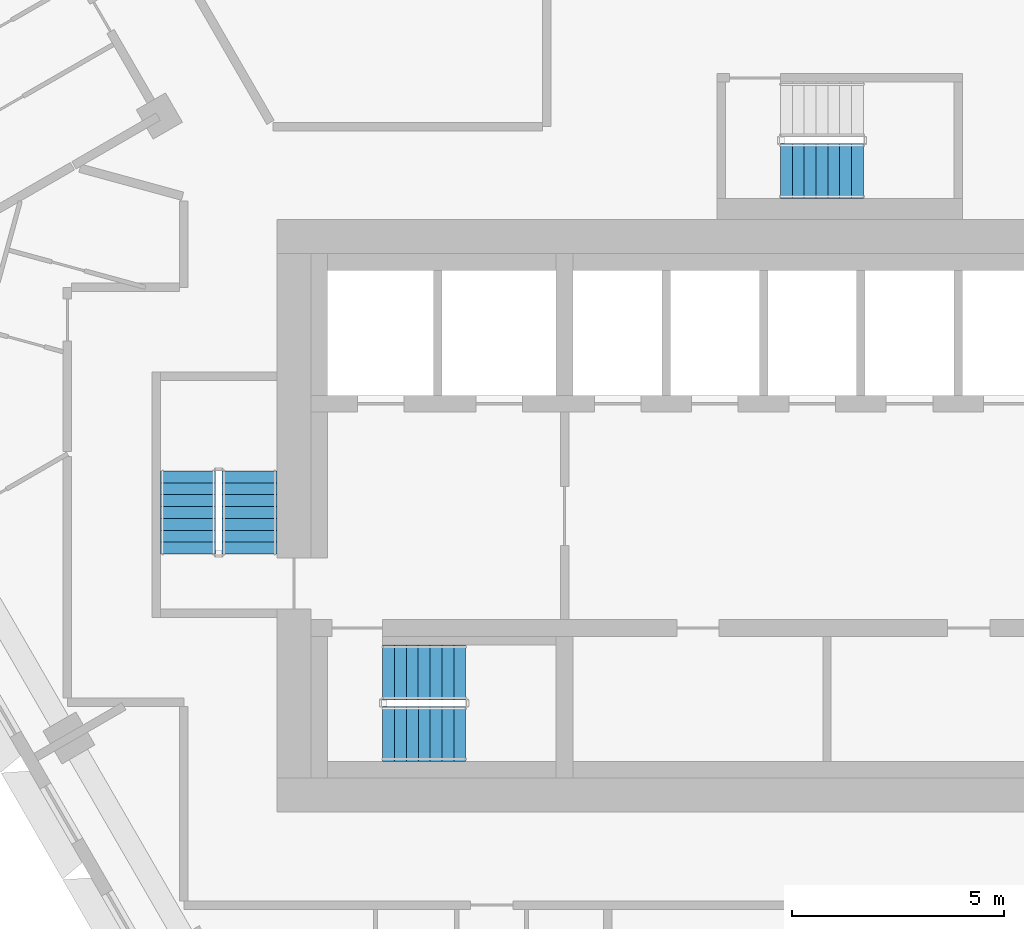
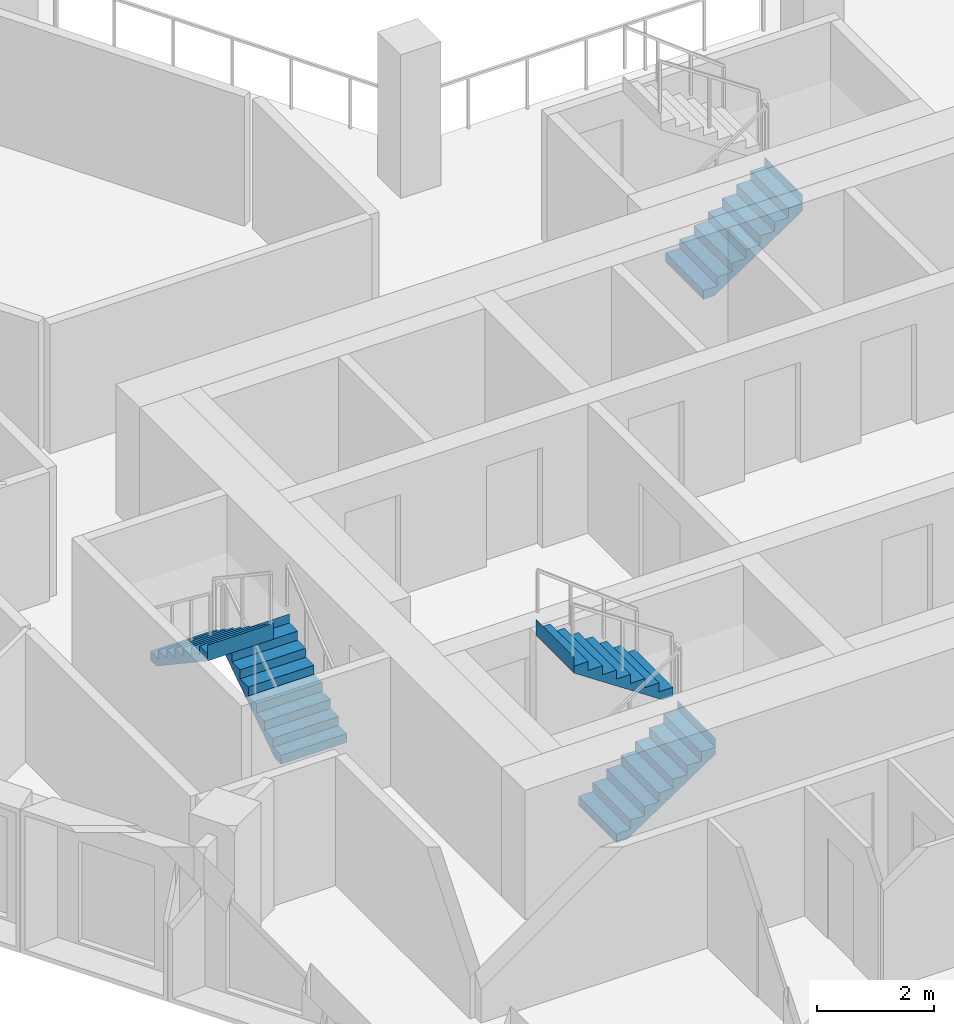
# One storey, part 12 of 17: 5 stair flights, 3 elements without a shape of their own.
"""IFC4 building model written with IfcOpenShell, lengths in metres."""

from ifc_helpers import new_model, si_unit, direction, frame, origin, place, context, subcontext, project, spatial, triangles, material, type_object, element, aggregate, save


model = new_model("IFC4")

# Units and contexts
model_context = context("Model", 3, precision=1e-05, world=origin(), true_north=direction((0.0, 1.0)))
body_context = subcontext(model_context, "Body", "Model", "MODEL_VIEW")
ifc_project = project(units=[si_unit("LENGTHUNIT", "METRE"), si_unit("AREAUNIT", "SQUARE_METRE"), si_unit("VOLUMEUNIT", "CUBIC_METRE"), si_unit("PLANEANGLEUNIT", "RADIAN"), si_unit("MASSUNIT", "GRAM", prefix="KILO")], contexts=[model_context])

# Site, building, storey
site_placement = place(None, origin())
site = spatial("IfcSite", under=ifc_project, at=site_placement, CompositionType="ELEMENT")
building_placement = place(site_placement, origin())
building = spatial("IfcBuilding", under=site, at=building_placement, Name="Beryl Residences", CompositionType="ELEMENT")
storey_placement = place(building_placement, frame((0.0, 0.0, 144.60009765625)))
storey = spatial("IfcBuildingStorey", under=building, at=storey_placement, Name="L44", CompositionType="ELEMENT", Elevation=144.60009765625)

# Stair, stair flights
ifc_material_1 = material(Name="Concrete C40/50", Category="concrete")
stair_type = type_object("IfcStairType", Name="ST1 protected exit stair, half-turn, 1300 mm flights", PredefinedType="HALF_TURN_STAIR", material=ifc_material_1)
stair_1_placement = place(storey_placement, origin())
stair_1 = element("IfcStair", 1, at=stair_1_placement, inside=storey, type_object=stair_type, Name="L44 PROTECTED EXIT STAIR ST-1", PredefinedType="HALF_TURN_STAIR")
ifc_material_2 = material(Name="Concrete C40/50", Category="concrete")
stair_flight_type = type_object("IfcStairFlightType", Name="SF1 stair flight 1300 mm", PredefinedType="STRAIGHT", material=ifc_material_2)
stair_flight_1_placement = place(storey_placement, frame((-10.800048828125, -17.14990234375, 0.0), z_axis=(0.0, 0.0, 1.0), x_axis=(1.0, 0.0, 0.0)))
stair_flight_1 = element("IfcStairFlight", 2, at=stair_flight_1_placement, type_object=stair_flight_type, Name="ST-1 flight 1", NumberOfRisers=8, NumberOfTreads=7, PredefinedType="STRAIGHT", RiserHeight=0.1875, TreadLength=0.28, context=body_context, shape_type="Tessellation", body=[
    triangles([(0.0, -0.64990234375, 0.0), (0.0, -0.324951171875, 0.0), (0.0, 0.0, 0.0), (0.0, 0.324951171875, 0.0), (0.0, 0.64990234375, 0.0), (0.0, -0.64990234375, 0.1875), (0.0, -0.324951171875, 0.1875), (0.0, 0.0, 0.1875), (0.0, 0.324951171875, 0.1875), (0.0, 0.64990234375, 0.1875), (0.280029296875, -0.64990234375, 0.1875), (0.280029296875, -0.324951171875, 0.1875), (0.280029296875, 0.0, 0.1875), (0.280029296875, 0.324951171875, 0.1875), (0.280029296875, 0.64990234375, 0.1875), (0.280029296875, -0.64990234375, 0.375), (0.280029296875, -0.324951171875, 0.375), (0.280029296875, 0.0, 0.375), (0.280029296875, 0.324951171875, 0.375), (0.280029296875, 0.64990234375, 0.375), (0.56005859375, -0.64990234375, 0.375), (0.56005859375, -0.324951171875, 0.375), (0.56005859375, 0.0, 0.375), (0.56005859375, 0.324951171875, 0.375), (0.56005859375, 0.64990234375, 0.375), (0.56005859375, -0.64990234375, 0.5625), (0.56005859375, -0.324951171875, 0.5625), (0.56005859375, 0.0, 0.5625), (0.56005859375, 0.324951171875, 0.5625), (0.56005859375, 0.64990234375, 0.5625), (0.840087890625, -0.64990234375, 0.5625), (0.840087890625, -0.324951171875, 0.5625), (0.840087890625, 0.0, 0.5625), (0.840087890625, 0.324951171875, 0.5625), (0.840087890625, 0.64990234375, 0.5625), (0.840087890625, -0.64990234375, 0.75), (0.840087890625, -0.324951171875, 0.75), (0.840087890625, 0.0, 0.75), (0.840087890625, 0.324951171875, 0.75), (0.840087890625, 0.64990234375, 0.75), (1.1201171875, -0.64990234375, 0.75), (1.1201171875, -0.324951171875, 0.75), (1.1201171875, 0.0, 0.75), (1.1201171875, 0.324951171875, 0.75), (1.1201171875, 0.64990234375, 0.75), (1.1201171875, -0.64990234375, 0.9375), (1.1201171875, -0.324951171875, 0.9375), (1.1201171875, 0.0, 0.9375), (1.1201171875, 0.324951171875, 0.9375), (1.1201171875, 0.64990234375, 0.9375), (1.39990234375, -0.64990234375, 0.9375), (1.39990234375, -0.324951171875, 0.9375), (1.39990234375, 0.0, 0.9375), (1.39990234375, 0.324951171875, 0.9375), (1.39990234375, 0.64990234375, 0.9375), (1.39990234375, -0.64990234375, 1.125), (1.39990234375, -0.324951171875, 1.125), (1.39990234375, 0.0, 1.125), (1.39990234375, 0.324951171875, 1.125), (1.39990234375, 0.64990234375, 1.125), (1.679931640625, -0.64990234375, 1.125), (1.679931640625, -0.324951171875, 1.125), (1.679931640625, 0.0, 1.125), (1.679931640625, 0.324951171875, 1.125), (1.679931640625, 0.64990234375, 1.125), (1.679931640625, -0.64990234375, 1.3125), (1.679931640625, -0.324951171875, 1.3125), (1.679931640625, 0.0, 1.3125), (1.679931640625, 0.324951171875, 1.3125), (1.679931640625, 0.64990234375, 1.3125), (1.9599609375, -0.64990234375, 1.3125), (1.9599609375, -0.324951171875, 1.3125), (1.9599609375, 0.0, 1.3125), (1.9599609375, 0.324951171875, 1.3125), (1.9599609375, 0.64990234375, 1.3125), (1.9599609375, -0.64990234375, 1.5), (1.9599609375, -0.324951171875, 1.5), (1.9599609375, 0.0, 1.5), (1.9599609375, 0.324951171875, 1.5), (1.9599609375, 0.64990234375, 1.5), (1.9609375, -0.64990234375, 1.5), (1.9609375, -0.324951171875, 1.5), (1.9609375, 0.0, 1.5), (1.9609375, 0.324951171875, 1.5), (1.9609375, 0.64990234375, 1.5), (1.9609375, -0.64990234375, 1.16796875), (1.9609375, -0.324951171875, 1.16796875), (1.9609375, 0.0, 1.16796875), (1.9609375, 0.324951171875, 1.16796875), (1.9609375, 0.64990234375, 1.16796875), (0.216796875, -0.64990234375, 0.0), (0.216796875, -0.324951171875, 0.0), (0.216796875, 0.0, 0.0), (0.216796875, 0.324951171875, 0.0), (0.216796875, 0.64990234375, 0.0)], [[1, 6, 7], [1, 7, 2], [2, 7, 8], [2, 8, 3], [3, 8, 9], [3, 9, 4], [4, 9, 10], [4, 10, 5], [6, 11, 12], [6, 12, 7], [7, 12, 13], [7, 13, 8], [8, 13, 14], [8, 14, 9], [9, 14, 15], [9, 15, 10], [11, 16, 17], [11, 17, 12], [12, 17, 18], [12, 18, 13], [13, 18, 19], [13, 19, 14], [14, 19, 20], [14, 20, 15], [16, 21, 22], [16, 22, 17], [17, 22, 23], [17, 23, 18], [18, 23, 24], [18, 24, 19], [19, 24, 25], [19, 25, 20], [21, 26, 27], [21, 27, 22], [22, 27, 28], [22, 28, 23], [23, 28, 29], [23, 29, 24], [24, 29, 30], [24, 30, 25], [26, 31, 32], [26, 32, 27], [27, 32, 33], [27, 33, 28], [28, 33, 34], [28, 34, 29], [29, 34, 35], [29, 35, 30], [31, 36, 37], [31, 37, 32], [32, 37, 38], [32, 38, 33], [33, 38, 39], [33, 39, 34], [34, 39, 40], [34, 40, 35], [36, 41, 42], [36, 42, 37], [37, 42, 43], [37, 43, 38], [38, 43, 44], [38, 44, 39], [39, 44, 45], [39, 45, 40], [41, 46, 47], [41, 47, 42], [42, 47, 48], [42, 48, 43], [43, 48, 49], [43, 49, 44], [44, 49, 50], [44, 50, 45], [46, 51, 52], [46, 52, 47], [47, 52, 53], [47, 53, 48], [48, 53, 54], [48, 54, 49], [49, 54, 55], [49, 55, 50], [51, 56, 57], [51, 57, 52], [52, 57, 58], [52, 58, 53], [53, 58, 59], [53, 59, 54], [54, 59, 60], [54, 60, 55], [56, 61, 62], [56, 62, 57], [57, 62, 63], [57, 63, 58], [58, 63, 64], [58, 64, 59], [59, 64, 65], [59, 65, 60], [61, 66, 67], [61, 67, 62], [62, 67, 68], [62, 68, 63], [63, 68, 69], [63, 69, 64], [64, 69, 70], [64, 70, 65], [66, 71, 72], [66, 72, 67], [67, 72, 73], [67, 73, 68], [68, 73, 74], [68, 74, 69], [69, 74, 75], [69, 75, 70], [71, 76, 77], [71, 77, 72], [72, 77, 78], [72, 78, 73], [73, 78, 79], [73, 79, 74], [74, 79, 80], [74, 80, 75], [76, 81, 82], [76, 82, 77], [77, 82, 83], [77, 83, 78], [78, 83, 84], [78, 84, 79], [79, 84, 85], [79, 85, 80], [81, 86, 87], [81, 87, 82], [82, 87, 88], [82, 88, 83], [83, 88, 89], [83, 89, 84], [84, 89, 90], [84, 90, 85], [86, 91, 92], [86, 92, 87], [87, 92, 93], [87, 93, 88], [88, 93, 94], [88, 94, 89], [89, 94, 95], [89, 95, 90], [91, 1, 2], [91, 2, 92], [92, 2, 3], [92, 3, 93], [93, 3, 4], [93, 4, 94], [94, 4, 5], [94, 5, 95], [1, 91, 86], [5, 90, 95], [86, 81, 76], [90, 80, 85], [86, 76, 71], [90, 75, 80], [86, 71, 66], [90, 70, 75], [86, 66, 61], [90, 65, 70], [61, 56, 51], [65, 55, 60], [86, 61, 51], [90, 55, 65], [51, 46, 41], [55, 45, 50], [86, 51, 41], [90, 45, 55], [41, 36, 31], [45, 35, 40], [86, 41, 31], [90, 35, 45], [31, 26, 21], [35, 25, 30], [86, 31, 21], [90, 25, 35], [21, 16, 11], [25, 15, 20], [86, 21, 11], [90, 15, 25], [1, 86, 11], [5, 15, 90], [11, 6, 1], [15, 5, 10]], closed=True),
])
stair_flight_2_placement = place(storey_placement, frame((-8.840087890625, -15.699951171875, 1.5), z_axis=(0.0, 0.0, 1.0), x_axis=(-1.0, 0.0, 0.0)))
stair_flight_2 = element("IfcStairFlight", 3, at=stair_flight_2_placement, type_object=stair_flight_type, Name="ST-1 flight 2", NumberOfRisers=8, NumberOfTreads=7, PredefinedType="STRAIGHT", RiserHeight=0.1875, TreadLength=0.28, context=body_context, shape_type="Tessellation", body=[
    triangles([(0.0, -0.64990234375, 0.0), (0.0, -0.324951171875, 0.0), (0.0, 0.0, 0.0), (0.0, 0.324951171875, 0.0), (0.0, 0.64990234375, 0.0), (0.0, -0.64990234375, 0.1875), (0.0, -0.324951171875, 0.1875), (0.0, 0.0, 0.1875), (0.0, 0.324951171875, 0.1875), (0.0, 0.64990234375, 0.1875), (0.280029296875, -0.64990234375, 0.1875), (0.280029296875, -0.324951171875, 0.1875), (0.280029296875, 0.0, 0.1875), (0.280029296875, 0.324951171875, 0.1875), (0.280029296875, 0.64990234375, 0.1875), (0.280029296875, -0.64990234375, 0.375), (0.280029296875, -0.324951171875, 0.375), (0.280029296875, 0.0, 0.375), (0.280029296875, 0.324951171875, 0.375), (0.280029296875, 0.64990234375, 0.375), (0.56005859375, -0.64990234375, 0.375), (0.56005859375, -0.324951171875, 0.375), (0.56005859375, 0.0, 0.375), (0.56005859375, 0.324951171875, 0.375), (0.56005859375, 0.64990234375, 0.375), (0.56005859375, -0.64990234375, 0.5625), (0.56005859375, -0.324951171875, 0.5625), (0.56005859375, 0.0, 0.5625), (0.56005859375, 0.324951171875, 0.5625), (0.56005859375, 0.64990234375, 0.5625), (0.840087890625, -0.64990234375, 0.5625), (0.840087890625, -0.324951171875, 0.5625), (0.840087890625, 0.0, 0.5625), (0.840087890625, 0.324951171875, 0.5625), (0.840087890625, 0.64990234375, 0.5625), (0.840087890625, -0.64990234375, 0.75), (0.840087890625, -0.324951171875, 0.75), (0.840087890625, 0.0, 0.75), (0.840087890625, 0.324951171875, 0.75), (0.840087890625, 0.64990234375, 0.75), (1.1201171875, -0.64990234375, 0.75), (1.1201171875, -0.324951171875, 0.75), (1.1201171875, 0.0, 0.75), (1.1201171875, 0.324951171875, 0.75), (1.1201171875, 0.64990234375, 0.75), (1.1201171875, -0.64990234375, 0.9375), (1.1201171875, -0.324951171875, 0.9375), (1.1201171875, 0.0, 0.9375), (1.1201171875, 0.324951171875, 0.9375), (1.1201171875, 0.64990234375, 0.9375), (1.39990234375, -0.64990234375, 0.9375), (1.39990234375, -0.324951171875, 0.9375), (1.39990234375, 0.0, 0.9375), (1.39990234375, 0.324951171875, 0.9375), (1.39990234375, 0.64990234375, 0.9375), (1.39990234375, -0.64990234375, 1.125), (1.39990234375, -0.324951171875, 1.125), (1.39990234375, 0.0, 1.125), (1.39990234375, 0.324951171875, 1.125), (1.39990234375, 0.64990234375, 1.125), (1.679931640625, -0.64990234375, 1.125), (1.679931640625, -0.324951171875, 1.125), (1.679931640625, 0.0, 1.125), (1.679931640625, 0.324951171875, 1.125), (1.679931640625, 0.64990234375, 1.125), (1.679931640625, -0.64990234375, 1.3125), (1.679931640625, -0.324951171875, 1.3125), (1.679931640625, 0.0, 1.3125), (1.679931640625, 0.324951171875, 1.3125), (1.679931640625, 0.64990234375, 1.3125), (1.9599609375, -0.64990234375, 1.3125), (1.9599609375, -0.324951171875, 1.3125), (1.9599609375, 0.0, 1.3125), (1.9599609375, 0.324951171875, 1.3125), (1.9599609375, 0.64990234375, 1.3125), (1.9599609375, -0.64990234375, 1.5), (1.9599609375, -0.324951171875, 1.5), (1.9599609375, 0.0, 1.5), (1.9599609375, 0.324951171875, 1.5), (1.9599609375, 0.64990234375, 1.5), (1.9609375, -0.64990234375, 1.5), (1.9609375, -0.324951171875, 1.5), (1.9609375, 0.0, 1.5), (1.9609375, 0.324951171875, 1.5), (1.9609375, 0.64990234375, 1.5), (1.9609375, -0.64990234375, 1.16796875), (1.9609375, -0.324951171875, 1.16796875), (1.9609375, 0.0, 1.16796875), (1.9609375, 0.324951171875, 1.16796875), (1.9609375, 0.64990234375, 1.16796875), (0.216796875, -0.64990234375, 0.0), (0.216796875, -0.324951171875, 0.0), (0.216796875, 0.0, 0.0), (0.216796875, 0.324951171875, 0.0), (0.216796875, 0.64990234375, 0.0)], [[1, 6, 7], [1, 7, 2], [2, 7, 8], [2, 8, 3], [3, 8, 9], [3, 9, 4], [4, 9, 10], [4, 10, 5], [6, 11, 12], [6, 12, 7], [7, 12, 13], [7, 13, 8], [8, 13, 14], [8, 14, 9], [9, 14, 15], [9, 15, 10], [11, 16, 17], [11, 17, 12], [12, 17, 18], [12, 18, 13], [13, 18, 19], [13, 19, 14], [14, 19, 20], [14, 20, 15], [16, 21, 22], [16, 22, 17], [17, 22, 23], [17, 23, 18], [18, 23, 24], [18, 24, 19], [19, 24, 25], [19, 25, 20], [21, 26, 27], [21, 27, 22], [22, 27, 28], [22, 28, 23], [23, 28, 29], [23, 29, 24], [24, 29, 30], [24, 30, 25], [26, 31, 32], [26, 32, 27], [27, 32, 33], [27, 33, 28], [28, 33, 34], [28, 34, 29], [29, 34, 35], [29, 35, 30], [31, 36, 37], [31, 37, 32], [32, 37, 38], [32, 38, 33], [33, 38, 39], [33, 39, 34], [34, 39, 40], [34, 40, 35], [36, 41, 42], [36, 42, 37], [37, 42, 43], [37, 43, 38], [38, 43, 44], [38, 44, 39], [39, 44, 45], [39, 45, 40], [41, 46, 47], [41, 47, 42], [42, 47, 48], [42, 48, 43], [43, 48, 49], [43, 49, 44], [44, 49, 50], [44, 50, 45], [46, 51, 52], [46, 52, 47], [47, 52, 53], [47, 53, 48], [48, 53, 54], [48, 54, 49], [49, 54, 55], [49, 55, 50], [51, 56, 57], [51, 57, 52], [52, 57, 58], [52, 58, 53], [53, 58, 59], [53, 59, 54], [54, 59, 60], [54, 60, 55], [56, 61, 62], [56, 62, 57], [57, 62, 63], [57, 63, 58], [58, 63, 64], [58, 64, 59], [59, 64, 65], [59, 65, 60], [61, 66, 67], [61, 67, 62], [62, 67, 68], [62, 68, 63], [63, 68, 69], [63, 69, 64], [64, 69, 70], [64, 70, 65], [66, 71, 72], [66, 72, 67], [67, 72, 73], [67, 73, 68], [68, 73, 74], [68, 74, 69], [69, 74, 75], [69, 75, 70], [71, 76, 77], [71, 77, 72], [72, 77, 78], [72, 78, 73], [73, 78, 79], [73, 79, 74], [74, 79, 80], [74, 80, 75], [76, 81, 82], [76, 82, 77], [77, 82, 83], [77, 83, 78], [78, 83, 84], [78, 84, 79], [79, 84, 85], [79, 85, 80], [81, 86, 87], [81, 87, 82], [82, 87, 88], [82, 88, 83], [83, 88, 89], [83, 89, 84], [84, 89, 90], [84, 90, 85], [86, 91, 92], [86, 92, 87], [87, 92, 93], [87, 93, 88], [88, 93, 94], [88, 94, 89], [89, 94, 95], [89, 95, 90], [91, 1, 2], [91, 2, 92], [92, 2, 3], [92, 3, 93], [93, 3, 4], [93, 4, 94], [94, 4, 5], [94, 5, 95], [1, 91, 86], [5, 90, 95], [86, 81, 76], [90, 80, 85], [86, 76, 71], [90, 75, 80], [86, 71, 66], [90, 70, 75], [86, 66, 61], [90, 65, 70], [61, 56, 51], [65, 55, 60], [86, 61, 51], [90, 55, 65], [51, 46, 41], [55, 45, 50], [86, 51, 41], [90, 45, 55], [41, 36, 31], [45, 35, 40], [86, 41, 31], [90, 35, 45], [31, 26, 21], [35, 25, 30], [86, 31, 21], [90, 25, 35], [21, 16, 11], [25, 15, 20], [86, 21, 11], [90, 15, 25], [1, 86, 11], [5, 15, 90], [11, 6, 1], [15, 5, 10]], closed=True),
])
aggregate(stair_1, [stair_flight_1, stair_flight_2])

stair_2_placement = place(storey_placement, origin())
stair_2 = element("IfcStair", 4, at=stair_2_placement, inside=storey, type_object=stair_type, Name="L44 PROTECTED EXIT STAIR ST-2", PredefinedType="HALF_TURN_STAIR")
stair_flight_3_placement = place(storey_placement, frame((-13.949951171875, -12.89990234375, 0.0), z_axis=(0.0, 0.0, 1.0), x_axis=(0.0, 1.0, 0.0)))
stair_flight_3 = element("IfcStairFlight", 5, at=stair_flight_3_placement, type_object=stair_flight_type, Name="ST-2 flight 1", NumberOfRisers=8, NumberOfTreads=7, PredefinedType="STRAIGHT", RiserHeight=0.1875, TreadLength=0.28, context=body_context, shape_type="Tessellation", body=[
    triangles([(0.0, -0.64990234375, 0.0), (0.0, -0.324951171875, 0.0), (0.0, 0.0, 0.0), (0.0, 0.324951171875, 0.0), (0.0, 0.64990234375, 0.0), (0.0, -0.64990234375, 0.1875), (0.0, -0.324951171875, 0.1875), (0.0, 0.0, 0.1875), (0.0, 0.324951171875, 0.1875), (0.0, 0.64990234375, 0.1875), (0.280029296875, -0.64990234375, 0.1875), (0.280029296875, -0.324951171875, 0.1875), (0.280029296875, 0.0, 0.1875), (0.280029296875, 0.324951171875, 0.1875), (0.280029296875, 0.64990234375, 0.1875), (0.280029296875, -0.64990234375, 0.375), (0.280029296875, -0.324951171875, 0.375), (0.280029296875, 0.0, 0.375), (0.280029296875, 0.324951171875, 0.375), (0.280029296875, 0.64990234375, 0.375), (0.56005859375, -0.64990234375, 0.375), (0.56005859375, -0.324951171875, 0.375), (0.56005859375, 0.0, 0.375), (0.56005859375, 0.324951171875, 0.375), (0.56005859375, 0.64990234375, 0.375), (0.56005859375, -0.64990234375, 0.5625), (0.56005859375, -0.324951171875, 0.5625), (0.56005859375, 0.0, 0.5625), (0.56005859375, 0.324951171875, 0.5625), (0.56005859375, 0.64990234375, 0.5625), (0.840087890625, -0.64990234375, 0.5625), (0.840087890625, -0.324951171875, 0.5625), (0.840087890625, 0.0, 0.5625), (0.840087890625, 0.324951171875, 0.5625), (0.840087890625, 0.64990234375, 0.5625), (0.840087890625, -0.64990234375, 0.75), (0.840087890625, -0.324951171875, 0.75), (0.840087890625, 0.0, 0.75), (0.840087890625, 0.324951171875, 0.75), (0.840087890625, 0.64990234375, 0.75), (1.1201171875, -0.64990234375, 0.75), (1.1201171875, -0.324951171875, 0.75), (1.1201171875, 0.0, 0.75), (1.1201171875, 0.324951171875, 0.75), (1.1201171875, 0.64990234375, 0.75), (1.1201171875, -0.64990234375, 0.9375), (1.1201171875, -0.324951171875, 0.9375), (1.1201171875, 0.0, 0.9375), (1.1201171875, 0.324951171875, 0.9375), (1.1201171875, 0.64990234375, 0.9375), (1.39990234375, -0.64990234375, 0.9375), (1.39990234375, -0.324951171875, 0.9375), (1.39990234375, 0.0, 0.9375), (1.39990234375, 0.324951171875, 0.9375), (1.39990234375, 0.64990234375, 0.9375), (1.39990234375, -0.64990234375, 1.125), (1.39990234375, -0.324951171875, 1.125), (1.39990234375, 0.0, 1.125), (1.39990234375, 0.324951171875, 1.125), (1.39990234375, 0.64990234375, 1.125), (1.679931640625, -0.64990234375, 1.125), (1.679931640625, -0.324951171875, 1.125), (1.679931640625, 0.0, 1.125), (1.679931640625, 0.324951171875, 1.125), (1.679931640625, 0.64990234375, 1.125), (1.679931640625, -0.64990234375, 1.3125), (1.679931640625, -0.324951171875, 1.3125), (1.679931640625, 0.0, 1.3125), (1.679931640625, 0.324951171875, 1.3125), (1.679931640625, 0.64990234375, 1.3125), (1.9599609375, -0.64990234375, 1.3125), (1.9599609375, -0.324951171875, 1.3125), (1.9599609375, 0.0, 1.3125), (1.9599609375, 0.324951171875, 1.3125), (1.9599609375, 0.64990234375, 1.3125), (1.9599609375, -0.64990234375, 1.5), (1.9599609375, -0.324951171875, 1.5), (1.9599609375, 0.0, 1.5), (1.9599609375, 0.324951171875, 1.5), (1.9599609375, 0.64990234375, 1.5), (1.9609375, -0.64990234375, 1.5), (1.9609375, -0.324951171875, 1.5), (1.9609375, 0.0, 1.5), (1.9609375, 0.324951171875, 1.5), (1.9609375, 0.64990234375, 1.5), (1.9609375, -0.64990234375, 1.16796875), (1.9609375, -0.324951171875, 1.16796875), (1.9609375, 0.0, 1.16796875), (1.9609375, 0.324951171875, 1.16796875), (1.9609375, 0.64990234375, 1.16796875), (0.216796875, -0.64990234375, 0.0), (0.216796875, -0.324951171875, 0.0), (0.216796875, 0.0, 0.0), (0.216796875, 0.324951171875, 0.0), (0.216796875, 0.64990234375, 0.0)], [[1, 6, 7], [1, 7, 2], [2, 7, 8], [2, 8, 3], [3, 8, 9], [3, 9, 4], [4, 9, 10], [4, 10, 5], [6, 11, 12], [6, 12, 7], [7, 12, 13], [7, 13, 8], [8, 13, 14], [8, 14, 9], [9, 14, 15], [9, 15, 10], [11, 16, 17], [11, 17, 12], [12, 17, 18], [12, 18, 13], [13, 18, 19], [13, 19, 14], [14, 19, 20], [14, 20, 15], [16, 21, 22], [16, 22, 17], [17, 22, 23], [17, 23, 18], [18, 23, 24], [18, 24, 19], [19, 24, 25], [19, 25, 20], [21, 26, 27], [21, 27, 22], [22, 27, 28], [22, 28, 23], [23, 28, 29], [23, 29, 24], [24, 29, 30], [24, 30, 25], [26, 31, 32], [26, 32, 27], [27, 32, 33], [27, 33, 28], [28, 33, 34], [28, 34, 29], [29, 34, 35], [29, 35, 30], [31, 36, 37], [31, 37, 32], [32, 37, 38], [32, 38, 33], [33, 38, 39], [33, 39, 34], [34, 39, 40], [34, 40, 35], [36, 41, 42], [36, 42, 37], [37, 42, 43], [37, 43, 38], [38, 43, 44], [38, 44, 39], [39, 44, 45], [39, 45, 40], [41, 46, 47], [41, 47, 42], [42, 47, 48], [42, 48, 43], [43, 48, 49], [43, 49, 44], [44, 49, 50], [44, 50, 45], [46, 51, 52], [46, 52, 47], [47, 52, 53], [47, 53, 48], [48, 53, 54], [48, 54, 49], [49, 54, 55], [49, 55, 50], [51, 56, 57], [51, 57, 52], [52, 57, 58], [52, 58, 53], [53, 58, 59], [53, 59, 54], [54, 59, 60], [54, 60, 55], [56, 61, 62], [56, 62, 57], [57, 62, 63], [57, 63, 58], [58, 63, 64], [58, 64, 59], [59, 64, 65], [59, 65, 60], [61, 66, 67], [61, 67, 62], [62, 67, 68], [62, 68, 63], [63, 68, 69], [63, 69, 64], [64, 69, 70], [64, 70, 65], [66, 71, 72], [66, 72, 67], [67, 72, 73], [67, 73, 68], [68, 73, 74], [68, 74, 69], [69, 74, 75], [69, 75, 70], [71, 76, 77], [71, 77, 72], [72, 77, 78], [72, 78, 73], [73, 78, 79], [73, 79, 74], [74, 79, 80], [74, 80, 75], [76, 81, 82], [76, 82, 77], [77, 82, 83], [77, 83, 78], [78, 83, 84], [78, 84, 79], [79, 84, 85], [79, 85, 80], [81, 86, 87], [81, 87, 82], [82, 87, 88], [82, 88, 83], [83, 88, 89], [83, 89, 84], [84, 89, 90], [84, 90, 85], [86, 91, 92], [86, 92, 87], [87, 92, 93], [87, 93, 88], [88, 93, 94], [88, 94, 89], [89, 94, 95], [89, 95, 90], [91, 1, 2], [91, 2, 92], [92, 2, 3], [92, 3, 93], [93, 3, 4], [93, 4, 94], [94, 4, 5], [94, 5, 95], [1, 91, 86], [5, 90, 95], [86, 81, 76], [90, 80, 85], [86, 76, 71], [90, 75, 80], [86, 71, 66], [90, 70, 75], [86, 66, 61], [90, 65, 70], [61, 56, 51], [65, 55, 60], [86, 61, 51], [90, 55, 65], [51, 46, 41], [55, 45, 50], [86, 51, 41], [90, 45, 55], [41, 36, 31], [45, 35, 40], [86, 41, 31], [90, 35, 45], [31, 26, 21], [35, 25, 30], [86, 31, 21], [90, 25, 35], [21, 16, 11], [25, 15, 20], [86, 21, 11], [90, 15, 25], [1, 86, 11], [5, 15, 90], [11, 6, 1], [15, 5, 10]], closed=True),
])
stair_flight_4_placement = place(storey_placement, frame((-15.39990234375, -10.93994140625, 1.5), z_axis=(0.0, 0.0, 1.0), x_axis=(0.0, -1.0, 0.0)))
stair_flight_4 = element("IfcStairFlight", 6, at=stair_flight_4_placement, type_object=stair_flight_type, Name="ST-2 flight 2", NumberOfRisers=8, NumberOfTreads=7, PredefinedType="STRAIGHT", RiserHeight=0.1875, TreadLength=0.28, context=body_context, shape_type="Tessellation", body=[
    triangles([(0.0, -0.64990234375, 0.0), (0.0, -0.324951171875, 0.0), (0.0, 0.0, 0.0), (0.0, 0.324951171875, 0.0), (0.0, 0.64990234375, 0.0), (0.0, -0.64990234375, 0.1875), (0.0, -0.324951171875, 0.1875), (0.0, 0.0, 0.1875), (0.0, 0.324951171875, 0.1875), (0.0, 0.64990234375, 0.1875), (0.280029296875, -0.64990234375, 0.1875), (0.280029296875, -0.324951171875, 0.1875), (0.280029296875, 0.0, 0.1875), (0.280029296875, 0.324951171875, 0.1875), (0.280029296875, 0.64990234375, 0.1875), (0.280029296875, -0.64990234375, 0.375), (0.280029296875, -0.324951171875, 0.375), (0.280029296875, 0.0, 0.375), (0.280029296875, 0.324951171875, 0.375), (0.280029296875, 0.64990234375, 0.375), (0.56005859375, -0.64990234375, 0.375), (0.56005859375, -0.324951171875, 0.375), (0.56005859375, 0.0, 0.375), (0.56005859375, 0.324951171875, 0.375), (0.56005859375, 0.64990234375, 0.375), (0.56005859375, -0.64990234375, 0.5625), (0.56005859375, -0.324951171875, 0.5625), (0.56005859375, 0.0, 0.5625), (0.56005859375, 0.324951171875, 0.5625), (0.56005859375, 0.64990234375, 0.5625), (0.840087890625, -0.64990234375, 0.5625), (0.840087890625, -0.324951171875, 0.5625), (0.840087890625, 0.0, 0.5625), (0.840087890625, 0.324951171875, 0.5625), (0.840087890625, 0.64990234375, 0.5625), (0.840087890625, -0.64990234375, 0.75), (0.840087890625, -0.324951171875, 0.75), (0.840087890625, 0.0, 0.75), (0.840087890625, 0.324951171875, 0.75), (0.840087890625, 0.64990234375, 0.75), (1.1201171875, -0.64990234375, 0.75), (1.1201171875, -0.324951171875, 0.75), (1.1201171875, 0.0, 0.75), (1.1201171875, 0.324951171875, 0.75), (1.1201171875, 0.64990234375, 0.75), (1.1201171875, -0.64990234375, 0.9375), (1.1201171875, -0.324951171875, 0.9375), (1.1201171875, 0.0, 0.9375), (1.1201171875, 0.324951171875, 0.9375), (1.1201171875, 0.64990234375, 0.9375), (1.39990234375, -0.64990234375, 0.9375), (1.39990234375, -0.324951171875, 0.9375), (1.39990234375, 0.0, 0.9375), (1.39990234375, 0.324951171875, 0.9375), (1.39990234375, 0.64990234375, 0.9375), (1.39990234375, -0.64990234375, 1.125), (1.39990234375, -0.324951171875, 1.125), (1.39990234375, 0.0, 1.125), (1.39990234375, 0.324951171875, 1.125), (1.39990234375, 0.64990234375, 1.125), (1.679931640625, -0.64990234375, 1.125), (1.679931640625, -0.324951171875, 1.125), (1.679931640625, 0.0, 1.125), (1.679931640625, 0.324951171875, 1.125), (1.679931640625, 0.64990234375, 1.125), (1.679931640625, -0.64990234375, 1.3125), (1.679931640625, -0.324951171875, 1.3125), (1.679931640625, 0.0, 1.3125), (1.679931640625, 0.324951171875, 1.3125), (1.679931640625, 0.64990234375, 1.3125), (1.9599609375, -0.64990234375, 1.3125), (1.9599609375, -0.324951171875, 1.3125), (1.9599609375, 0.0, 1.3125), (1.9599609375, 0.324951171875, 1.3125), (1.9599609375, 0.64990234375, 1.3125), (1.9599609375, -0.64990234375, 1.5), (1.9599609375, -0.324951171875, 1.5), (1.9599609375, 0.0, 1.5), (1.9599609375, 0.324951171875, 1.5), (1.9599609375, 0.64990234375, 1.5), (1.9609375, -0.64990234375, 1.5), (1.9609375, -0.324951171875, 1.5), (1.9609375, 0.0, 1.5), (1.9609375, 0.324951171875, 1.5), (1.9609375, 0.64990234375, 1.5), (1.9609375, -0.64990234375, 1.16796875), (1.9609375, -0.324951171875, 1.16796875), (1.9609375, 0.0, 1.16796875), (1.9609375, 0.324951171875, 1.16796875), (1.9609375, 0.64990234375, 1.16796875), (0.216796875, -0.64990234375, 0.0), (0.216796875, -0.324951171875, 0.0), (0.216796875, 0.0, 0.0), (0.216796875, 0.324951171875, 0.0), (0.216796875, 0.64990234375, 0.0)], [[1, 6, 7], [1, 7, 2], [2, 7, 8], [2, 8, 3], [3, 8, 9], [3, 9, 4], [4, 9, 10], [4, 10, 5], [6, 11, 12], [6, 12, 7], [7, 12, 13], [7, 13, 8], [8, 13, 14], [8, 14, 9], [9, 14, 15], [9, 15, 10], [11, 16, 17], [11, 17, 12], [12, 17, 18], [12, 18, 13], [13, 18, 19], [13, 19, 14], [14, 19, 20], [14, 20, 15], [16, 21, 22], [16, 22, 17], [17, 22, 23], [17, 23, 18], [18, 23, 24], [18, 24, 19], [19, 24, 25], [19, 25, 20], [21, 26, 27], [21, 27, 22], [22, 27, 28], [22, 28, 23], [23, 28, 29], [23, 29, 24], [24, 29, 30], [24, 30, 25], [26, 31, 32], [26, 32, 27], [27, 32, 33], [27, 33, 28], [28, 33, 34], [28, 34, 29], [29, 34, 35], [29, 35, 30], [31, 36, 37], [31, 37, 32], [32, 37, 38], [32, 38, 33], [33, 38, 39], [33, 39, 34], [34, 39, 40], [34, 40, 35], [36, 41, 42], [36, 42, 37], [37, 42, 43], [37, 43, 38], [38, 43, 44], [38, 44, 39], [39, 44, 45], [39, 45, 40], [41, 46, 47], [41, 47, 42], [42, 47, 48], [42, 48, 43], [43, 48, 49], [43, 49, 44], [44, 49, 50], [44, 50, 45], [46, 51, 52], [46, 52, 47], [47, 52, 53], [47, 53, 48], [48, 53, 54], [48, 54, 49], [49, 54, 55], [49, 55, 50], [51, 56, 57], [51, 57, 52], [52, 57, 58], [52, 58, 53], [53, 58, 59], [53, 59, 54], [54, 59, 60], [54, 60, 55], [56, 61, 62], [56, 62, 57], [57, 62, 63], [57, 63, 58], [58, 63, 64], [58, 64, 59], [59, 64, 65], [59, 65, 60], [61, 66, 67], [61, 67, 62], [62, 67, 68], [62, 68, 63], [63, 68, 69], [63, 69, 64], [64, 69, 70], [64, 70, 65], [66, 71, 72], [66, 72, 67], [67, 72, 73], [67, 73, 68], [68, 73, 74], [68, 74, 69], [69, 74, 75], [69, 75, 70], [71, 76, 77], [71, 77, 72], [72, 77, 78], [72, 78, 73], [73, 78, 79], [73, 79, 74], [74, 79, 80], [74, 80, 75], [76, 81, 82], [76, 82, 77], [77, 82, 83], [77, 83, 78], [78, 83, 84], [78, 84, 79], [79, 84, 85], [79, 85, 80], [81, 86, 87], [81, 87, 82], [82, 87, 88], [82, 88, 83], [83, 88, 89], [83, 89, 84], [84, 89, 90], [84, 90, 85], [86, 91, 92], [86, 92, 87], [87, 92, 93], [87, 93, 88], [88, 93, 94], [88, 94, 89], [89, 94, 95], [89, 95, 90], [91, 1, 2], [91, 2, 92], [92, 2, 3], [92, 3, 93], [93, 3, 4], [93, 4, 94], [94, 4, 5], [94, 5, 95], [1, 91, 86], [5, 90, 95], [86, 81, 76], [90, 80, 85], [86, 76, 71], [90, 75, 80], [86, 71, 66], [90, 70, 75], [86, 66, 61], [90, 65, 70], [61, 56, 51], [65, 55, 60], [86, 61, 51], [90, 55, 65], [51, 46, 41], [55, 45, 50], [86, 51, 41], [90, 45, 55], [41, 36, 31], [45, 35, 40], [86, 41, 31], [90, 35, 45], [31, 26, 21], [35, 25, 30], [86, 31, 21], [90, 25, 35], [21, 16, 11], [25, 15, 20], [86, 21, 11], [90, 15, 25], [1, 86, 11], [5, 15, 90], [11, 6, 1], [15, 5, 10]], closed=True),
])
aggregate(stair_2, [stair_flight_3, stair_flight_4])

# Stair, stair flight
stair_3_placement = place(storey_placement, origin())
stair_3 = element("IfcStair", 7, at=stair_3_placement, inside=storey, type_object=stair_type, Name="L44 PROTECTED EXIT STAIR ST-4", PredefinedType="HALF_TURN_STAIR")
stair_flight_5_placement = place(storey_placement, frame((-1.39990234375, -3.85009765625, 0.0), z_axis=(0.0, 0.0, 1.0), x_axis=(1.0, 0.0, 0.0)))
stair_flight_5 = element("IfcStairFlight", 8, at=stair_flight_5_placement, type_object=stair_flight_type, Name="ST-4 flight 1", NumberOfRisers=8, NumberOfTreads=7, PredefinedType="STRAIGHT", RiserHeight=0.1875, TreadLength=0.28, context=body_context, shape_type="Tessellation", body=[
    triangles([(0.0, -0.64990234375, 0.0), (0.0, -0.324951171875, 0.0), (0.0, 0.0, 0.0), (0.0, 0.324951171875, 0.0), (0.0, 0.64990234375, 0.0), (0.0, -0.64990234375, 0.1875), (0.0, -0.324951171875, 0.1875), (0.0, 0.0, 0.1875), (0.0, 0.324951171875, 0.1875), (0.0, 0.64990234375, 0.1875), (0.280029296875, -0.64990234375, 0.1875), (0.280029296875, -0.324951171875, 0.1875), (0.280029296875, 0.0, 0.1875), (0.280029296875, 0.324951171875, 0.1875), (0.280029296875, 0.64990234375, 0.1875), (0.280029296875, -0.64990234375, 0.375), (0.280029296875, -0.324951171875, 0.375), (0.280029296875, 0.0, 0.375), (0.280029296875, 0.324951171875, 0.375), (0.280029296875, 0.64990234375, 0.375), (0.56005859375, -0.64990234375, 0.375), (0.56005859375, -0.324951171875, 0.375), (0.56005859375, 0.0, 0.375), (0.56005859375, 0.324951171875, 0.375), (0.56005859375, 0.64990234375, 0.375), (0.56005859375, -0.64990234375, 0.5625), (0.56005859375, -0.324951171875, 0.5625), (0.56005859375, 0.0, 0.5625), (0.56005859375, 0.324951171875, 0.5625), (0.56005859375, 0.64990234375, 0.5625), (0.840087890625, -0.64990234375, 0.5625), (0.840087890625, -0.324951171875, 0.5625), (0.840087890625, 0.0, 0.5625), (0.840087890625, 0.324951171875, 0.5625), (0.840087890625, 0.64990234375, 0.5625), (0.840087890625, -0.64990234375, 0.75), (0.840087890625, -0.324951171875, 0.75), (0.840087890625, 0.0, 0.75), (0.840087890625, 0.324951171875, 0.75), (0.840087890625, 0.64990234375, 0.75), (1.1201171875, -0.64990234375, 0.75), (1.1201171875, -0.324951171875, 0.75), (1.1201171875, 0.0, 0.75), (1.1201171875, 0.324951171875, 0.75), (1.1201171875, 0.64990234375, 0.75), (1.1201171875, -0.64990234375, 0.9375), (1.1201171875, -0.324951171875, 0.9375), (1.1201171875, 0.0, 0.9375), (1.1201171875, 0.324951171875, 0.9375), (1.1201171875, 0.64990234375, 0.9375), (1.39990234375, -0.64990234375, 0.9375), (1.39990234375, -0.324951171875, 0.9375), (1.39990234375, 0.0, 0.9375), (1.39990234375, 0.324951171875, 0.9375), (1.39990234375, 0.64990234375, 0.9375), (1.39990234375, -0.64990234375, 1.125), (1.39990234375, -0.324951171875, 1.125), (1.39990234375, 0.0, 1.125), (1.39990234375, 0.324951171875, 1.125), (1.39990234375, 0.64990234375, 1.125), (1.679931640625, -0.64990234375, 1.125), (1.679931640625, -0.324951171875, 1.125), (1.679931640625, 0.0, 1.125), (1.679931640625, 0.324951171875, 1.125), (1.679931640625, 0.64990234375, 1.125), (1.679931640625, -0.64990234375, 1.3125), (1.679931640625, -0.324951171875, 1.3125), (1.679931640625, 0.0, 1.3125), (1.679931640625, 0.324951171875, 1.3125), (1.679931640625, 0.64990234375, 1.3125), (1.9599609375, -0.64990234375, 1.3125), (1.9599609375, -0.324951171875, 1.3125), (1.9599609375, 0.0, 1.3125), (1.9599609375, 0.324951171875, 1.3125), (1.9599609375, 0.64990234375, 1.3125), (1.9599609375, -0.64990234375, 1.5), (1.9599609375, -0.324951171875, 1.5), (1.9599609375, 0.0, 1.5), (1.9599609375, 0.324951171875, 1.5), (1.9599609375, 0.64990234375, 1.5), (1.9609375, -0.64990234375, 1.5), (1.9609375, -0.324951171875, 1.5), (1.9609375, 0.0, 1.5), (1.9609375, 0.324951171875, 1.5), (1.9609375, 0.64990234375, 1.5), (1.9609375, -0.64990234375, 1.16796875), (1.9609375, -0.324951171875, 1.16796875), (1.9609375, 0.0, 1.16796875), (1.9609375, 0.324951171875, 1.16796875), (1.9609375, 0.64990234375, 1.16796875), (0.216796875, -0.64990234375, 0.0), (0.216796875, -0.324951171875, 0.0), (0.216796875, 0.0, 0.0), (0.216796875, 0.324951171875, 0.0), (0.216796875, 0.64990234375, 0.0)], [[1, 6, 7], [1, 7, 2], [2, 7, 8], [2, 8, 3], [3, 8, 9], [3, 9, 4], [4, 9, 10], [4, 10, 5], [6, 11, 12], [6, 12, 7], [7, 12, 13], [7, 13, 8], [8, 13, 14], [8, 14, 9], [9, 14, 15], [9, 15, 10], [11, 16, 17], [11, 17, 12], [12, 17, 18], [12, 18, 13], [13, 18, 19], [13, 19, 14], [14, 19, 20], [14, 20, 15], [16, 21, 22], [16, 22, 17], [17, 22, 23], [17, 23, 18], [18, 23, 24], [18, 24, 19], [19, 24, 25], [19, 25, 20], [21, 26, 27], [21, 27, 22], [22, 27, 28], [22, 28, 23], [23, 28, 29], [23, 29, 24], [24, 29, 30], [24, 30, 25], [26, 31, 32], [26, 32, 27], [27, 32, 33], [27, 33, 28], [28, 33, 34], [28, 34, 29], [29, 34, 35], [29, 35, 30], [31, 36, 37], [31, 37, 32], [32, 37, 38], [32, 38, 33], [33, 38, 39], [33, 39, 34], [34, 39, 40], [34, 40, 35], [36, 41, 42], [36, 42, 37], [37, 42, 43], [37, 43, 38], [38, 43, 44], [38, 44, 39], [39, 44, 45], [39, 45, 40], [41, 46, 47], [41, 47, 42], [42, 47, 48], [42, 48, 43], [43, 48, 49], [43, 49, 44], [44, 49, 50], [44, 50, 45], [46, 51, 52], [46, 52, 47], [47, 52, 53], [47, 53, 48], [48, 53, 54], [48, 54, 49], [49, 54, 55], [49, 55, 50], [51, 56, 57], [51, 57, 52], [52, 57, 58], [52, 58, 53], [53, 58, 59], [53, 59, 54], [54, 59, 60], [54, 60, 55], [56, 61, 62], [56, 62, 57], [57, 62, 63], [57, 63, 58], [58, 63, 64], [58, 64, 59], [59, 64, 65], [59, 65, 60], [61, 66, 67], [61, 67, 62], [62, 67, 68], [62, 68, 63], [63, 68, 69], [63, 69, 64], [64, 69, 70], [64, 70, 65], [66, 71, 72], [66, 72, 67], [67, 72, 73], [67, 73, 68], [68, 73, 74], [68, 74, 69], [69, 74, 75], [69, 75, 70], [71, 76, 77], [71, 77, 72], [72, 77, 78], [72, 78, 73], [73, 78, 79], [73, 79, 74], [74, 79, 80], [74, 80, 75], [76, 81, 82], [76, 82, 77], [77, 82, 83], [77, 83, 78], [78, 83, 84], [78, 84, 79], [79, 84, 85], [79, 85, 80], [81, 86, 87], [81, 87, 82], [82, 87, 88], [82, 88, 83], [83, 88, 89], [83, 89, 84], [84, 89, 90], [84, 90, 85], [86, 91, 92], [86, 92, 87], [87, 92, 93], [87, 93, 88], [88, 93, 94], [88, 94, 89], [89, 94, 95], [89, 95, 90], [91, 1, 2], [91, 2, 92], [92, 2, 3], [92, 3, 93], [93, 3, 4], [93, 4, 94], [94, 4, 5], [94, 5, 95], [1, 91, 86], [5, 90, 95], [86, 81, 76], [90, 80, 85], [86, 76, 71], [90, 75, 80], [86, 71, 66], [90, 70, 75], [86, 66, 61], [90, 65, 70], [61, 56, 51], [65, 55, 60], [86, 61, 51], [90, 55, 65], [51, 46, 41], [55, 45, 50], [86, 51, 41], [90, 45, 55], [41, 36, 31], [45, 35, 40], [86, 41, 31], [90, 35, 45], [31, 26, 21], [35, 25, 30], [86, 31, 21], [90, 25, 35], [21, 16, 11], [25, 15, 20], [86, 21, 11], [90, 15, 25], [1, 86, 11], [5, 15, 90], [11, 6, 1], [15, 5, 10]], closed=True),
])
aggregate(stair_3, [stair_flight_5])

save(model, "model.ifc")
